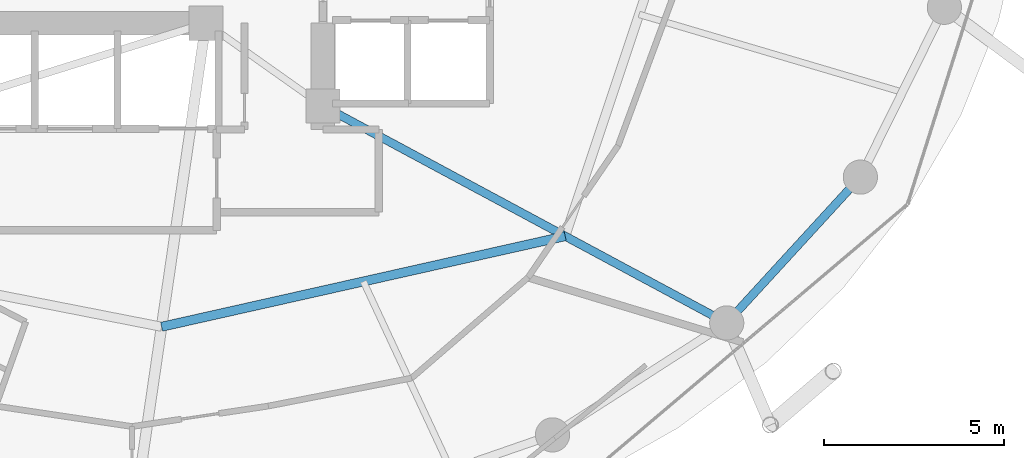
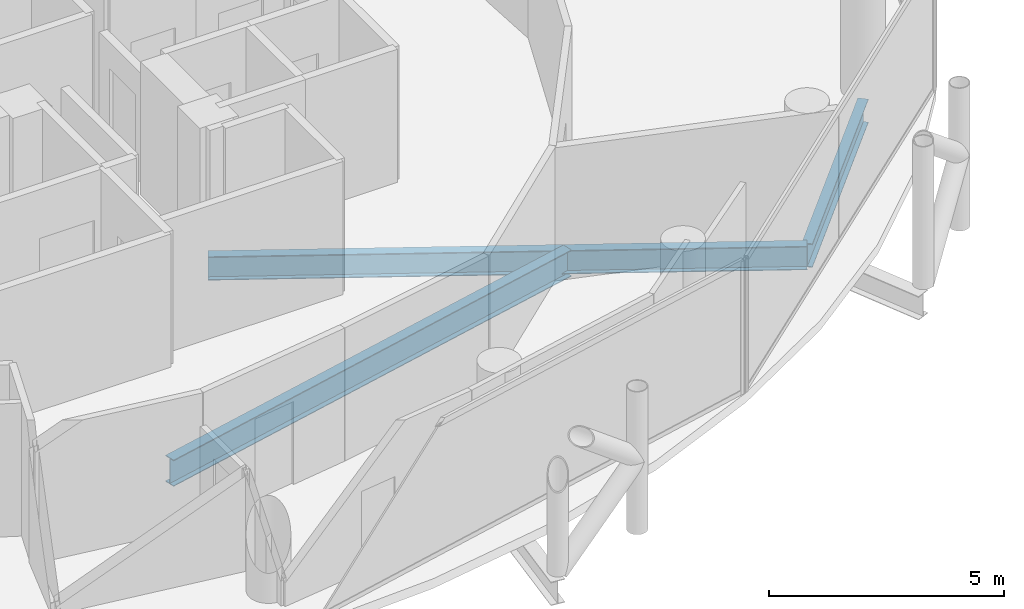
# One storey, part 9 of 26: 3 beams.
"""IFC4 building model written with IfcOpenShell, lengths in metres."""

from ifc_helpers import new_model, si_unit, direction, frame, origin, origin_2d, place, context, subcontext, project, spatial, i_section, extrude, material, material_profile, profile_set, type_object, element, save


model = new_model("IFC4")

# Units and contexts
model_context = context("Model", 3, precision=1e-05, world=origin(), true_north=direction((0.0, 1.0)))
body_context = subcontext(model_context, "Body", "Model", "MODEL_VIEW")
ifc_project = project(units=[si_unit("LENGTHUNIT", "METRE"), si_unit("AREAUNIT", "SQUARE_METRE"), si_unit("VOLUMEUNIT", "CUBIC_METRE"), si_unit("PLANEANGLEUNIT", "RADIAN"), si_unit("MASSUNIT", "GRAM", prefix="KILO")], contexts=[model_context])

# Site, building, storey
site_placement = place(None, origin())
site = spatial("IfcSite", under=ifc_project, at=site_placement, CompositionType="ELEMENT")
building_placement = place(site_placement, origin())
building = spatial("IfcBuilding", under=site, at=building_placement, Name="Nuhasar Tower", CompositionType="ELEMENT")
storey_placement = place(building_placement, frame((0.0, 0.0, 184.85009765625)))
storey = spatial("IfcBuildingStorey", under=building, at=storey_placement, Name="L45", CompositionType="ELEMENT", Elevation=184.85009765625)

# Beams
ifc_material = material(Name="Steel S355", Category="steel")
ifc_material_profile_1 = material_profile(ifc_material, i_section(OverallWidth=0.25390625, OverallDepth=0.68408203125, WebThickness=0.012451171875, FlangeThickness=0.018798828125, at=origin_2d()), Name="W27X94")
ifc_profile_set_1 = profile_set([ifc_material_profile_1], Name="Steel S355")
beam_type_1 = type_object("IfcBeamType", Name="BM-INRING-W27X94", PredefinedType="BEAM", material=ifc_profile_set_1)
beam_1_placement = place(storey_placement, frame((39.820068359375, 12.8701171875, -0.592041015625), z_axis=(0.975716159385, 0.219038755282, 0.0), x_axis=(-0.219038755282, 0.975716159385, 0.0)))
element("IfcBeam", 1, at=beam_1_placement, inside=storey, type_object=beam_type_1, Name="L45 Inner Header Beam 02", PredefinedType="BEAM", context=body_context, shape_type="SweptSolid", body=[
    extrude(i_section(OverallWidth=0.25390625, OverallDepth=0.68408203125, WebThickness=0.012451171875, FlangeThickness=0.018798828125, at=origin_2d()), origin(), (0.0, 0.0, 1.0), 11.48583984375),
])
ifc_material_profile_2 = material_profile(ifc_material, i_section(OverallWidth=0.22900390625, OverallDepth=0.612060546875, WebThickness=0.011962890625, FlangeThickness=0.01953125, at=origin_2d()), Name="W24X84")
ifc_profile_set_2 = profile_set([ifc_material_profile_2], Name="Steel S355")
beam_type_2 = type_object("IfcBeamType", Name="BM-RAD-W24X84", PredefinedType="BEAM", material=ifc_profile_set_2)
beam_2_placement = place(storey_placement, frame((44.300048828125, 19.0, -0.55615234375), z_axis=(0.880888386928, -0.473324043098, 0.0), x_axis=(0.473324043098, 0.880888386928, 0.0)))
element("IfcBeam", 2, at=beam_2_placement, inside=storey, type_object=beam_type_2, Name="L45 Radial Floor Girder 03", PredefinedType="BEAM", context=body_context, shape_type="SweptSolid", body=[
    extrude(i_section(OverallWidth=0.22900390625, OverallDepth=0.612060546875, WebThickness=0.011962890625, FlangeThickness=0.01953125, at=origin_2d()), origin(), (0.0, 0.0, 1.0), 12.726806640625),
])
ifc_material_profile_3 = material_profile(ifc_material, i_section(OverallWidth=0.22998046875, OverallDepth=0.616943359375, WebThickness=0.01318359375, FlangeThickness=0.022216796875, at=origin_2d()), Name="W24X94")
ifc_profile_set_3 = profile_set([ifc_material_profile_3], Name="Steel S355")
beam_type_3 = type_object("IfcBeamType", Name="BM-RING-W24X94", PredefinedType="SPANDREL", material=ifc_profile_set_3)
beam_3_placement = place(storey_placement, frame((55.510986328125, 12.97607421875, -0.55908203125), z_axis=(0.675676316545, 0.737198423262, 0.0), x_axis=(-0.737198423262, 0.675676316545, 0.0)))
element("IfcBeam", 3, at=beam_3_placement, inside=storey, type_object=beam_type_3, Name="L45 Perimeter Ring Spandrel 22", PredefinedType="SPANDREL", context=body_context, shape_type="SweptSolid", body=[
    extrude(i_section(OverallWidth=0.22998046875, OverallDepth=0.616943359375, WebThickness=0.01318359375, FlangeThickness=0.022216796875, at=origin_2d()), origin(), (0.0, 0.0, 1.0), 5.4921875),
])

save(model, "model.ifc")
